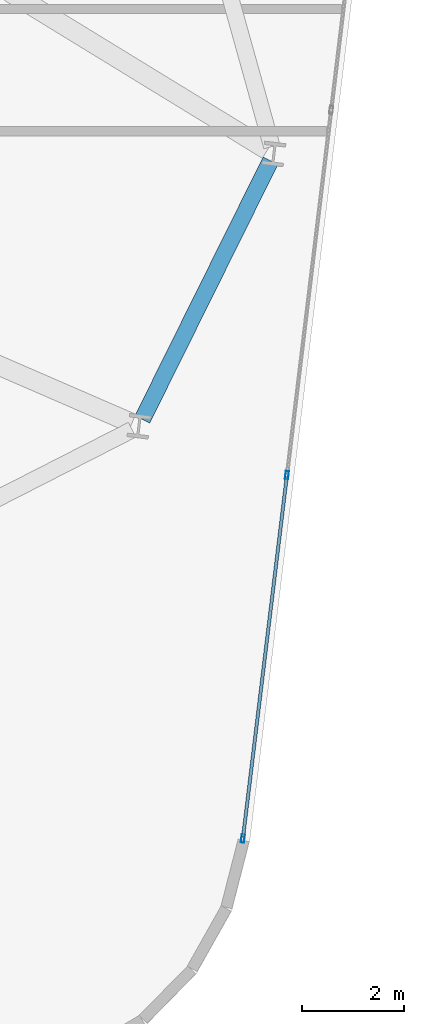
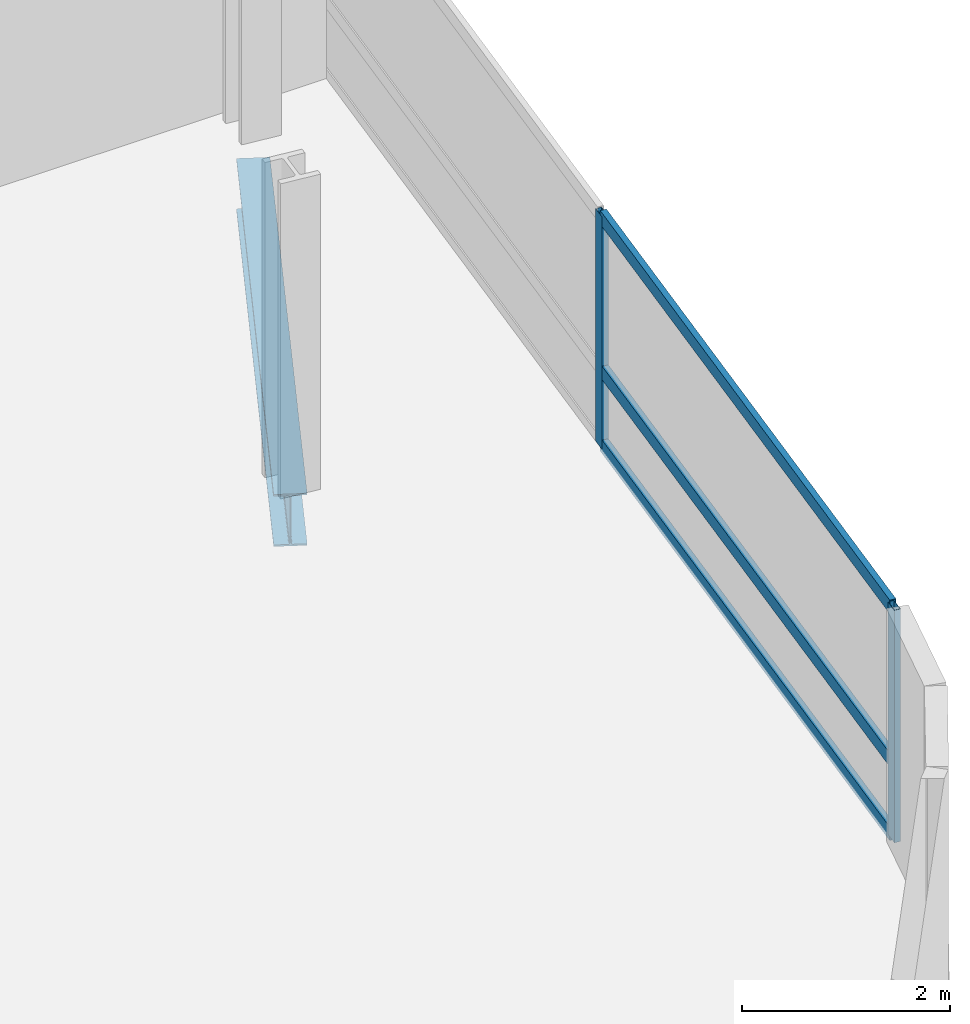
# One storey, part 14 of 26: 5 members, 1 beam, 1 element without a shape of its own.
"""IFC4 building model written with IfcOpenShell, lengths in metres."""

from ifc_helpers import new_model, si_unit, direction, frame, origin, origin_2d, place, context, subcontext, project, spatial, hollow_rectangle, i_section, extrude, material, layer, layer_set, material_profile, profile_set, type_object, element, aggregate, save


model = new_model("IFC4")

# Units and contexts
model_context = context("Model", 3, precision=1e-05, world=origin(), true_north=direction((0.0, 1.0)))
body_context = subcontext(model_context, "Body", "Model", "MODEL_VIEW")
ifc_project = project(units=[si_unit("LENGTHUNIT", "METRE"), si_unit("AREAUNIT", "SQUARE_METRE"), si_unit("VOLUMEUNIT", "CUBIC_METRE"), si_unit("PLANEANGLEUNIT", "RADIAN"), si_unit("MASSUNIT", "GRAM", prefix="KILO")], contexts=[model_context])

# Site, building, storey
site_placement = place(None, origin())
site = spatial("IfcSite", under=ifc_project, at=site_placement, CompositionType="ELEMENT")
building_placement = place(site_placement, origin())
building = spatial("IfcBuilding", under=site, at=building_placement, Name="Varnelok Gate Tower", CompositionType="ELEMENT")
storey_placement = place(building_placement, frame((0.0, 0.0, 143.89990234375)))
storey = spatial("IfcBuildingStorey", under=building, at=storey_placement, Name="L36", CompositionType="ELEMENT", Elevation=143.89990234375)

# Beam
ifc_material_1 = material(Name="Structural Steel ASTM A992 Grade 50", Category="steel")
ifc_material_profile_1 = material_profile(ifc_material_1, i_section(OverallWidth=0.323974609375, OverallDepth=0.611083984375, WebThickness=0.0126953125, FlangeThickness=0.01904296875, FilletRadius=0.01806640625, at=origin_2d()), Name="W24X104")
ifc_profile_set_1 = profile_set([ifc_material_profile_1], Name="Structural Steel ASTM A992 Grade 50")
beam_type = type_object("IfcBeamType", Name="BM-SPN-W24X104", PredefinedType="SPANDREL", material=ifc_profile_set_1)
beam_placement = place(storey_placement, frame((71.859619140625, 11.20849609375, -0.555419921875), z_axis=(0.44413424616, 0.895960251009, 0.0), x_axis=(-0.895960251009, 0.44413424616, 0.0)))
element("IfcBeam", 1, at=beam_placement, inside=storey, type_object=beam_type, Name="L36 Perimeter Spandrel Beam 6", PredefinedType="SPANDREL", context=body_context, shape_type="SweptSolid", body=[
    extrude(i_section(OverallWidth=0.323974609375, OverallDepth=0.611083984375, WebThickness=0.0126953125, FlangeThickness=0.01904296875, FilletRadius=0.01806640625, at=origin_2d()), origin(), (0.0, 0.0, 1.0), 5.64990234375),
])

# Curtain wall, members
ifc_material_2 = material(Name="Anodized Aluminum Alloy 6063-T6", Category="aluminium")
ifc_layer = layer(ifc_material_2, 0.179931640625)
ifc_layer_set = layer_set([ifc_layer], Name="Anodized Aluminum Alloy 6063-T6")
curtain_wall_type = type_object("IfcCurtainWallType", Name="CW3-HOTEL-VISION", PredefinedType="USERDEFINED", material=ifc_layer_set)
curtain_wall_placement = place(storey_placement, origin())
curtain_wall = element("IfcCurtainWall", 2, at=curtain_wall_placement, inside=storey, type_object=curtain_wall_type, Name="L36 East End Vision Curtain Wall", ObjectType="UNITISED CURTAIN WALL", PredefinedType="USERDEFINED")
ifc_material_profile_2 = material_profile(ifc_material_2, hollow_rectangle(XDim=0.06494140625, YDim=0.159912109375, WallThickness=0.00390625, at=origin_2d()), Name="ALU160X65X4")
ifc_profile_set_2 = profile_set([ifc_material_profile_2], Name="Anodized Aluminum Alloy 6063-T6")
member_type_1 = type_object("IfcMemberType", Name="CW-MULL-160", PredefinedType="MULLION", material=ifc_profile_set_2)
member_1_placement = place(storey_placement, frame((74.69091796875, 10.118408203125, 0.0), z_axis=(0.0, 0.0, 1.0), x_axis=(0.99273188146, -0.120347046212, 0.0)))
member_1 = element("IfcMember", 3, at=member_1_placement, type_object=member_type_1, Name="CW3 mullion 5", PredefinedType="MULLION", context=body_context, shape_type="SweptSolid", body=[
    extrude(hollow_rectangle(XDim=0.06494140625, YDim=0.159912109375, WallThickness=0.00390625, at=origin_2d()), origin(), (0.0, 0.0, 1.0), 2.72998046875),
])
member_2_placement = place(storey_placement, frame((73.828369140625, 3.003173828125, 0.0), z_axis=(0.0, 0.0, 1.0), x_axis=(0.99273188146, -0.120347046212, 0.0)))
member_2 = element("IfcMember", 4, at=member_2_placement, type_object=member_type_1, Name="CW3 mullion 6", PredefinedType="MULLION", context=body_context, shape_type="SweptSolid", body=[
    extrude(hollow_rectangle(XDim=0.06494140625, YDim=0.159912109375, WallThickness=0.00390625, at=origin_2d()), origin(), (0.0, 0.0, 1.0), 2.72998046875),
])
ifc_material_profile_3 = material_profile(ifc_material_2, hollow_rectangle(XDim=0.06494140625, YDim=0.159912109375, WallThickness=0.00390625, at=origin_2d()), Name="ALU160X65X4")
ifc_profile_set_3 = profile_set([ifc_material_profile_3], Name="Anodized Aluminum Alloy 6063-T6")
member_type_2 = type_object("IfcMemberType", Name="CW-TRAN-160", PredefinedType="USERDEFINED", material=ifc_profile_set_3)
member_3_placement = place(storey_placement, frame((74.68701171875, 10.086181640625, 0.03271484375), z_axis=(-0.120344712857, -0.992732164326, 0.0), x_axis=(0.992732164326, -0.120344712857, 0.0)))
member_3 = element("IfcMember", 5, at=member_3_placement, type_object=member_type_2, Name="CW3 transom 5.1", ObjectType="TRANSOM", PredefinedType="USERDEFINED", context=body_context, shape_type="SweptSolid", body=[
    extrude(hollow_rectangle(XDim=0.06494140625, YDim=0.159912109375, WallThickness=0.00390625, at=origin_2d()), origin(), (0.0, 0.0, 1.0), 7.102294921875),
])
member_4_placement = place(storey_placement, frame((74.68701171875, 10.086181640625, 0.900146484375), z_axis=(-0.120344712857, -0.992732164326, 0.0), x_axis=(0.992732164326, -0.120344712857, 0.0)))
member_4 = element("IfcMember", 6, at=member_4_placement, type_object=member_type_2, Name="CW3 transom 5.2", ObjectType="TRANSOM", PredefinedType="USERDEFINED", context=body_context, shape_type="SweptSolid", body=[
    extrude(hollow_rectangle(XDim=0.06494140625, YDim=0.159912109375, WallThickness=0.00390625, at=origin_2d()), origin(), (0.0, 0.0, 1.0), 7.102294921875),
])
member_5_placement = place(storey_placement, frame((74.68701171875, 10.086181640625, 2.697509765625), z_axis=(-0.120344712857, -0.992732164326, 0.0), x_axis=(0.992732164326, -0.120344712857, 0.0)))
member_5 = element("IfcMember", 7, at=member_5_placement, type_object=member_type_2, Name="CW3 transom 5.3", ObjectType="TRANSOM", PredefinedType="USERDEFINED", context=body_context, shape_type="SweptSolid", body=[
    extrude(hollow_rectangle(XDim=0.06494140625, YDim=0.159912109375, WallThickness=0.00390625, at=origin_2d()), origin(), (0.0, 0.0, 1.0), 7.102294921875),
])
aggregate(curtain_wall, [member_1, member_2, member_3, member_4, member_5])

save(model, "model.ifc")
